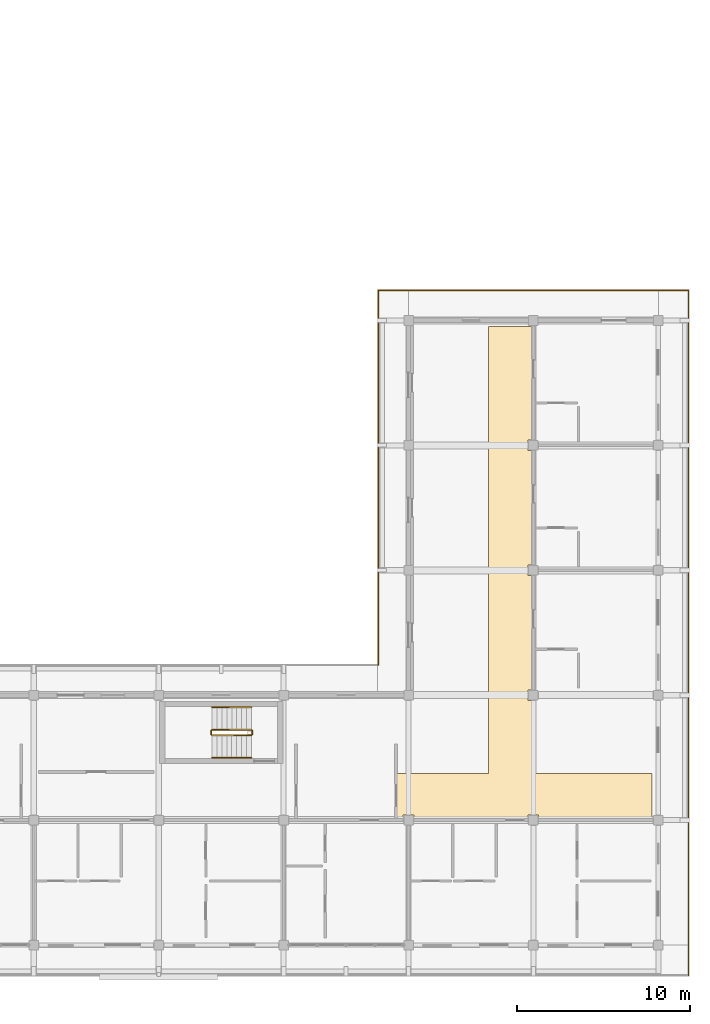
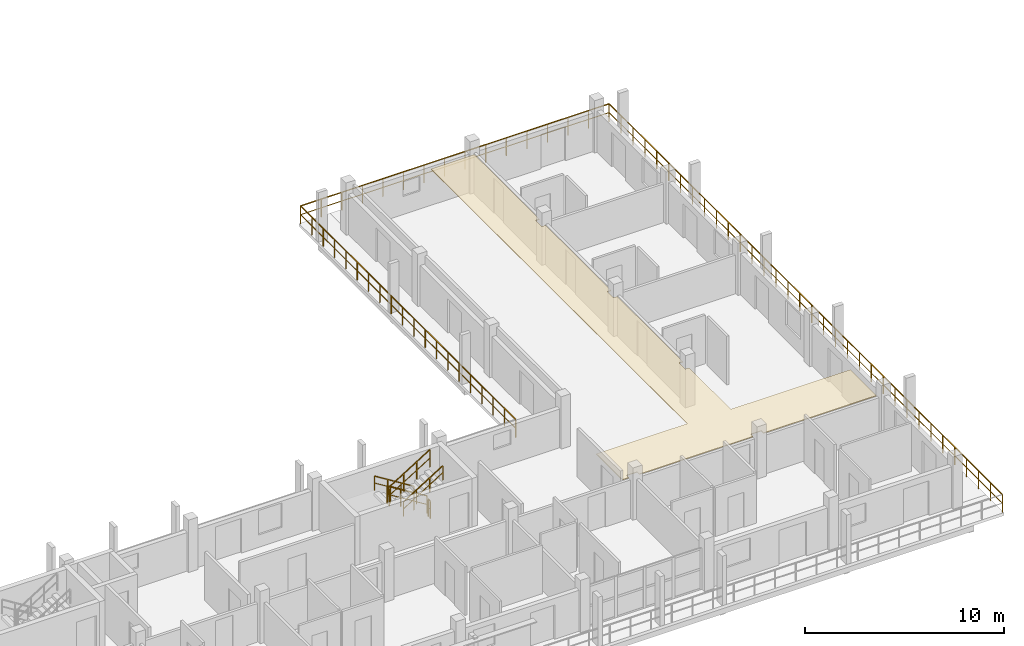
# One storey, part 69 of 73: 9 railings, 1 covering.
"""IFC4 building model written with IfcOpenShell, lengths in metres."""

from ifc_helpers import new_model, si_unit, direction, frame, origin, origin_2d, place, context, subcontext, project, spatial, polyline, rectangle, outline, extrude, material, layer, layer_set, type_object, element, save


model = new_model("IFC4")

# Units and contexts
model_context = context("Model", 3, precision=1e-05, world=origin(), true_north=direction((0.0, 1.0)))
body_context = subcontext(model_context, "Body", "Model", "MODEL_VIEW")
ifc_project = project(units=[si_unit("LENGTHUNIT", "METRE"), si_unit("AREAUNIT", "SQUARE_METRE"), si_unit("VOLUMEUNIT", "CUBIC_METRE"), si_unit("PLANEANGLEUNIT", "RADIAN"), si_unit("MASSUNIT", "GRAM", prefix="KILO")], contexts=[model_context])

# Site, building, storey
site_placement = place(None, origin())
site = spatial("IfcSite", under=ifc_project, at=site_placement, CompositionType="ELEMENT")
building_placement = place(site_placement, origin())
building = spatial("IfcBuilding", under=site, at=building_placement, Name="Suanplinth Sawtooth Commons", CompositionType="ELEMENT")
storey_placement = place(building_placement, frame((0.0, 0.0, 21.89990234375)))
storey = spatial("IfcBuildingStorey", under=building, at=storey_placement, Name="L06", CompositionType="ELEMENT", Elevation=21.89990234375)

# Covering
ifc_material_1 = material(Name="Mineral fibre acoustic tile")
ifc_layer = layer(ifc_material_1, 0.0400390625, Name="Perforated mineral-fibre acoustic suspended ceiling")
ifc_layer_set = layer_set([ifc_layer], Name="Mineral fibre acoustic tile")
covering_type = type_object("IfcCoveringType", Name="CV-CE01", PredefinedType="CEILING", material=ifc_layer_set)
covering_placement = place(storey_placement, frame((0.0, 0.0, 2.380126953125)))
element("IfcCovering", 1, at=covering_placement, inside=storey, type_object=covering_type, Name="L06 Block C Corridor Acoustic Ceiling", PredefinedType="CEILING", context=body_context, shape_type="SweptSolid", body=[
    extrude(outline(polyline([(172.1201171875, 9.89990234375), (177.39990234375, 9.89990234375), (177.39990234375, 35.639892578125), (179.919921875, 35.639892578125), (179.919921875, 29.10498046875), (179.695068359375, 29.10498046875), (179.695068359375, 28.4951171875), (179.919921875, 28.4951171875), (179.919921875, 21.905029296875), (179.695068359375, 21.905029296875), (179.695068359375, 21.294921875), (179.919921875, 21.294921875), (179.919921875, 14.705078125), (179.695068359375, 14.705078125), (179.695068359375, 14.094970703125), (179.919921875, 14.094970703125), (179.919921875, 9.89990234375), (186.840087890625, 9.89990234375), (186.840087890625, 7.280029296875), (180.304931640625, 7.280029296875), (180.304931640625, 7.5048828125), (179.695068359375, 7.5048828125), (179.695068359375, 7.280029296875), (173.10498046875, 7.280029296875), (173.10498046875, 7.5048828125), (172.4951171875, 7.5048828125), (172.4951171875, 7.280029296875), (172.1201171875, 7.280029296875), (172.1201171875, 9.89990234375)])), origin(), (0.0, 0.0, 1.0), 0.0400390625),
])

# Railings
ifc_material_2 = material(Name="Powder-coated galvanized steel", Category="steel")
railing_type_1 = type_object("IfcRailingType", Name="GR-01", PredefinedType="BALUSTRADE", material=ifc_material_2)
railing_1_placement = place(storey_placement, frame((171.06005859375, 16.139892578125, 0.0)))
element("IfcRailing", 2, at=railing_1_placement, inside=storey, type_object=railing_type_1, Name="L06 Block C Perimeter Balustrade 3", PredefinedType="BALUSTRADE", context=body_context, shape_type="SweptSolid", body=[
    extrude(rectangle(XDim=0.048095703125, YDim=0.048095703125, at=origin_2d()), frame((0.0, 0.0, 1.09619140625), z_axis=(0.0, 1.0, 0.0), x_axis=(-1.0, 0.0, 0.0)), (0.0, 0.0, 1.0), 21.60009765625),
    extrude(rectangle(XDim=0.03369140625, YDim=0.03369140625, at=origin_2d()), frame((0.0, 0.0, 0.56005859375), z_axis=(0.0, 1.0, 0.0), x_axis=(-1.0, 0.0, 0.0)), (0.0, 0.0, 1.0), 21.60009765625),
    extrude(rectangle(XDim=0.0419921875, YDim=0.0419921875, at=origin_2d()), origin(), (0.0, 0.0, 1.0), 1.072021484375),
    extrude(rectangle(XDim=0.0419921875, YDim=0.0419921875, at=origin_2d()), frame((0.0, 1.136962890625, 0.0)), (0.0, 0.0, 1.0), 1.072021484375),
    extrude(rectangle(XDim=0.0419921875, YDim=0.0419921875, at=origin_2d()), frame((0.0, 2.273681640625, 0.0)), (0.0, 0.0, 1.0), 1.072021484375),
    extrude(rectangle(XDim=0.0419921875, YDim=0.0419921875, at=origin_2d()), frame((0.0, 3.41064453125, 0.0)), (0.0, 0.0, 1.0), 1.072021484375),
    extrude(rectangle(XDim=0.0419921875, YDim=0.0419921875, at=origin_2d()), frame((0.0, 4.54736328125, 0.0)), (0.0, 0.0, 1.0), 1.072021484375),
    extrude(rectangle(XDim=0.0419921875, YDim=0.0419921875, at=origin_2d()), frame((0.0, 5.684326171875, 0.0)), (0.0, 0.0, 1.0), 1.072021484375),
    extrude(rectangle(XDim=0.0419921875, YDim=0.0419921875, at=origin_2d()), frame((0.0, 6.821044921875, 0.0)), (0.0, 0.0, 1.0), 1.072021484375),
    extrude(rectangle(XDim=0.0419921875, YDim=0.0419921875, at=origin_2d()), frame((0.0, 7.9580078125, 0.0)), (0.0, 0.0, 1.0), 1.072021484375),
    extrude(rectangle(XDim=0.0419921875, YDim=0.0419921875, at=origin_2d()), frame((0.0, 9.0947265625, 0.0)), (0.0, 0.0, 1.0), 1.072021484375),
    extrude(rectangle(XDim=0.0419921875, YDim=0.0419921875, at=origin_2d()), frame((0.0, 10.231689453125, 0.0)), (0.0, 0.0, 1.0), 1.072021484375),
    extrude(rectangle(XDim=0.0419921875, YDim=0.0419921875, at=origin_2d()), frame((0.0, 11.368408203125, 0.0)), (0.0, 0.0, 1.0), 1.072021484375),
    extrude(rectangle(XDim=0.0419921875, YDim=0.0419921875, at=origin_2d()), frame((0.0, 12.50537109375, 0.0)), (0.0, 0.0, 1.0), 1.072021484375),
    extrude(rectangle(XDim=0.0419921875, YDim=0.0419921875, at=origin_2d()), frame((0.0, 13.64208984375, 0.0)), (0.0, 0.0, 1.0), 1.072021484375),
    extrude(rectangle(XDim=0.0419921875, YDim=0.0419921875, at=origin_2d()), frame((0.0, 14.779052734375, 0.0)), (0.0, 0.0, 1.0), 1.072021484375),
    extrude(rectangle(XDim=0.0419921875, YDim=0.0419921875, at=origin_2d()), frame((0.0, 15.915771484375, 0.0)), (0.0, 0.0, 1.0), 1.072021484375),
    extrude(rectangle(XDim=0.0419921875, YDim=0.0419921875, at=origin_2d()), frame((0.0, 17.052734375, 0.0)), (0.0, 0.0, 1.0), 1.072021484375),
    extrude(rectangle(XDim=0.0419921875, YDim=0.0419921875, at=origin_2d()), frame((0.0, 18.189453125, 0.0)), (0.0, 0.0, 1.0), 1.072021484375),
    extrude(rectangle(XDim=0.0419921875, YDim=0.0419921875, at=origin_2d()), frame((0.0, 19.326416015625, 0.0)), (0.0, 0.0, 1.0), 1.072021484375),
    extrude(rectangle(XDim=0.0419921875, YDim=0.0419921875, at=origin_2d()), frame((0.0, 20.463134765625, 0.0)), (0.0, 0.0, 1.0), 1.072021484375),
    extrude(rectangle(XDim=0.0419921875, YDim=0.0419921875, at=origin_2d()), frame((0.0, 21.60009765625, 0.0)), (0.0, 0.0, 1.0), 1.072021484375),
])
railing_2_placement = place(storey_placement, frame((171.06005859375, 37.739990234375, 0.0)))
element("IfcRailing", 3, at=railing_2_placement, inside=storey, type_object=railing_type_1, Name="L06 Block C Perimeter Balustrade 4", PredefinedType="BALUSTRADE", context=body_context, shape_type="SweptSolid", body=[
    extrude(rectangle(XDim=0.048095703125, YDim=0.048095703125, at=origin_2d()), frame((0.0, 0.0, 1.09619140625), z_axis=(1.0, 0.0, 0.0), x_axis=(0.0, 1.0, 0.0)), (0.0, 0.0, 1.0), 17.8798828125),
    extrude(rectangle(XDim=0.03369140625, YDim=0.03369140625, at=origin_2d()), frame((0.0, 0.0, 0.56005859375), z_axis=(1.0, 0.0, 0.0), x_axis=(0.0, 1.0, 0.0)), (0.0, 0.0, 1.0), 17.8798828125),
    extrude(rectangle(XDim=0.0419921875, YDim=0.0419921875, at=origin_2d()), origin(), (0.0, 0.0, 1.0), 1.072021484375),
    extrude(rectangle(XDim=0.0419921875, YDim=0.0419921875, at=origin_2d()), frame((1.19189453125, 0.0, 0.0)), (0.0, 0.0, 1.0), 1.072021484375),
    extrude(rectangle(XDim=0.0419921875, YDim=0.0419921875, at=origin_2d()), frame((2.384033203125, 0.0, 0.0)), (0.0, 0.0, 1.0), 1.072021484375),
    extrude(rectangle(XDim=0.0419921875, YDim=0.0419921875, at=origin_2d()), frame((3.575927734375, 0.0, 0.0)), (0.0, 0.0, 1.0), 1.072021484375),
    extrude(rectangle(XDim=0.0419921875, YDim=0.0419921875, at=origin_2d()), frame((4.76806640625, 0.0, 0.0)), (0.0, 0.0, 1.0), 1.072021484375),
    extrude(rectangle(XDim=0.0419921875, YDim=0.0419921875, at=origin_2d()), frame((5.9599609375, 0.0, 0.0)), (0.0, 0.0, 1.0), 1.072021484375),
    extrude(rectangle(XDim=0.0419921875, YDim=0.0419921875, at=origin_2d()), frame((7.15185546875, 0.0, 0.0)), (0.0, 0.0, 1.0), 1.072021484375),
    extrude(rectangle(XDim=0.0419921875, YDim=0.0419921875, at=origin_2d()), frame((8.343994140625, 0.0, 0.0)), (0.0, 0.0, 1.0), 1.072021484375),
    extrude(rectangle(XDim=0.0419921875, YDim=0.0419921875, at=origin_2d()), frame((9.535888671875, 0.0, 0.0)), (0.0, 0.0, 1.0), 1.072021484375),
    extrude(rectangle(XDim=0.0419921875, YDim=0.0419921875, at=origin_2d()), frame((10.72802734375, 0.0, 0.0)), (0.0, 0.0, 1.0), 1.072021484375),
    extrude(rectangle(XDim=0.0419921875, YDim=0.0419921875, at=origin_2d()), frame((11.919921875, 0.0, 0.0)), (0.0, 0.0, 1.0), 1.072021484375),
    extrude(rectangle(XDim=0.0419921875, YDim=0.0419921875, at=origin_2d()), frame((13.11181640625, 0.0, 0.0)), (0.0, 0.0, 1.0), 1.072021484375),
    extrude(rectangle(XDim=0.0419921875, YDim=0.0419921875, at=origin_2d()), frame((14.303955078125, 0.0, 0.0)), (0.0, 0.0, 1.0), 1.072021484375),
    extrude(rectangle(XDim=0.0419921875, YDim=0.0419921875, at=origin_2d()), frame((15.495849609375, 0.0, 0.0)), (0.0, 0.0, 1.0), 1.072021484375),
    extrude(rectangle(XDim=0.0419921875, YDim=0.0419921875, at=origin_2d()), frame((16.68798828125, 0.0, 0.0)), (0.0, 0.0, 1.0), 1.072021484375),
    extrude(rectangle(XDim=0.0419921875, YDim=0.0419921875, at=origin_2d()), frame((17.8798828125, 0.0, 0.0)), (0.0, 0.0, 1.0), 1.072021484375),
])
railing_3_placement = place(storey_placement, frame((188.93994140625, 37.739990234375, 0.0)))
element("IfcRailing", 4, at=railing_3_placement, inside=storey, type_object=railing_type_1, Name="L06 Block C Perimeter Balustrade 5", PredefinedType="BALUSTRADE", context=body_context, shape_type="SweptSolid", body=[
    extrude(rectangle(XDim=0.048095703125, YDim=0.048095703125, at=origin_2d()), frame((0.0, 0.0, 1.09619140625), z_axis=(0.0, -1.0, 0.0), x_axis=(1.0, 0.0, 0.0)), (0.0, 0.0, 1.0), 39.47998046875),
    extrude(rectangle(XDim=0.03369140625, YDim=0.03369140625, at=origin_2d()), frame((0.0, 0.0, 0.56005859375), z_axis=(0.0, -1.0, 0.0), x_axis=(1.0, 0.0, 0.0)), (0.0, 0.0, 1.0), 39.47998046875),
    extrude(rectangle(XDim=0.0419921875, YDim=0.0419921875, at=origin_2d()), origin(), (0.0, 0.0, 1.0), 1.072021484375),
    extrude(rectangle(XDim=0.0419921875, YDim=0.0419921875, at=origin_2d()), frame((0.0, -1.1962890625, 0.0)), (0.0, 0.0, 1.0), 1.072021484375),
    extrude(rectangle(XDim=0.0419921875, YDim=0.0419921875, at=origin_2d()), frame((0.0, -2.392822265625, 0.0)), (0.0, 0.0, 1.0), 1.072021484375),
    extrude(rectangle(XDim=0.0419921875, YDim=0.0419921875, at=origin_2d()), frame((0.0, -3.589111328125, 0.0)), (0.0, 0.0, 1.0), 1.072021484375),
    extrude(rectangle(XDim=0.0419921875, YDim=0.0419921875, at=origin_2d()), frame((0.0, -4.785400390625, 0.0)), (0.0, 0.0, 1.0), 1.072021484375),
    extrude(rectangle(XDim=0.0419921875, YDim=0.0419921875, at=origin_2d()), frame((0.0, -5.98193359375, 0.0)), (0.0, 0.0, 1.0), 1.072021484375),
    extrude(rectangle(XDim=0.0419921875, YDim=0.0419921875, at=origin_2d()), frame((0.0, -7.17822265625, 0.0)), (0.0, 0.0, 1.0), 1.072021484375),
    extrude(rectangle(XDim=0.0419921875, YDim=0.0419921875, at=origin_2d()), frame((0.0, -8.37451171875, 0.0)), (0.0, 0.0, 1.0), 1.072021484375),
    extrude(rectangle(XDim=0.0419921875, YDim=0.0419921875, at=origin_2d()), frame((0.0, -9.57080078125, 0.0)), (0.0, 0.0, 1.0), 1.072021484375),
    extrude(rectangle(XDim=0.0419921875, YDim=0.0419921875, at=origin_2d()), frame((0.0, -10.767333984375, 0.0)), (0.0, 0.0, 1.0), 1.072021484375),
    extrude(rectangle(XDim=0.0419921875, YDim=0.0419921875, at=origin_2d()), frame((0.0, -11.963623046875, 0.0)), (0.0, 0.0, 1.0), 1.072021484375),
    extrude(rectangle(XDim=0.0419921875, YDim=0.0419921875, at=origin_2d()), frame((0.0, -13.159912109375, 0.0)), (0.0, 0.0, 1.0), 1.072021484375),
    extrude(rectangle(XDim=0.0419921875, YDim=0.0419921875, at=origin_2d()), frame((0.0, -14.3564453125, 0.0)), (0.0, 0.0, 1.0), 1.072021484375),
    extrude(rectangle(XDim=0.0419921875, YDim=0.0419921875, at=origin_2d()), frame((0.0, -15.552734375, 0.0)), (0.0, 0.0, 1.0), 1.072021484375),
    extrude(rectangle(XDim=0.0419921875, YDim=0.0419921875, at=origin_2d()), frame((0.0, -16.7490234375, 0.0)), (0.0, 0.0, 1.0), 1.072021484375),
    extrude(rectangle(XDim=0.0419921875, YDim=0.0419921875, at=origin_2d()), frame((0.0, -17.945556640625, 0.0)), (0.0, 0.0, 1.0), 1.072021484375),
    extrude(rectangle(XDim=0.0419921875, YDim=0.0419921875, at=origin_2d()), frame((0.0, -19.141845703125, 0.0)), (0.0, 0.0, 1.0), 1.072021484375),
    extrude(rectangle(XDim=0.0419921875, YDim=0.0419921875, at=origin_2d()), frame((0.0, -20.338134765625, 0.0)), (0.0, 0.0, 1.0), 1.072021484375),
    extrude(rectangle(XDim=0.0419921875, YDim=0.0419921875, at=origin_2d()), frame((0.0, -21.534423828125, 0.0)), (0.0, 0.0, 1.0), 1.072021484375),
    extrude(rectangle(XDim=0.0419921875, YDim=0.0419921875, at=origin_2d()), frame((0.0, -22.73095703125, 0.0)), (0.0, 0.0, 1.0), 1.072021484375),
    extrude(rectangle(XDim=0.0419921875, YDim=0.0419921875, at=origin_2d()), frame((0.0, -23.92724609375, 0.0)), (0.0, 0.0, 1.0), 1.072021484375),
    extrude(rectangle(XDim=0.0419921875, YDim=0.0419921875, at=origin_2d()), frame((0.0, -25.12353515625, 0.0)), (0.0, 0.0, 1.0), 1.072021484375),
    extrude(rectangle(XDim=0.0419921875, YDim=0.0419921875, at=origin_2d()), frame((0.0, -26.320068359375, 0.0)), (0.0, 0.0, 1.0), 1.072021484375),
    extrude(rectangle(XDim=0.0419921875, YDim=0.0419921875, at=origin_2d()), frame((0.0, -27.516357421875, 0.0)), (0.0, 0.0, 1.0), 1.072021484375),
    extrude(rectangle(XDim=0.0419921875, YDim=0.0419921875, at=origin_2d()), frame((0.0, -28.712646484375, 0.0)), (0.0, 0.0, 1.0), 1.072021484375),
    extrude(rectangle(XDim=0.0419921875, YDim=0.0419921875, at=origin_2d()), frame((0.0, -29.9091796875, 0.0)), (0.0, 0.0, 1.0), 1.072021484375),
    extrude(rectangle(XDim=0.0419921875, YDim=0.0419921875, at=origin_2d()), frame((0.0, -31.10546875, 0.0)), (0.0, 0.0, 1.0), 1.072021484375),
    extrude(rectangle(XDim=0.0419921875, YDim=0.0419921875, at=origin_2d()), frame((0.0, -32.3017578125, 0.0)), (0.0, 0.0, 1.0), 1.072021484375),
    extrude(rectangle(XDim=0.0419921875, YDim=0.0419921875, at=origin_2d()), frame((0.0, -33.498046875, 0.0)), (0.0, 0.0, 1.0), 1.072021484375),
    extrude(rectangle(XDim=0.0419921875, YDim=0.0419921875, at=origin_2d()), frame((0.0, -34.694580078125, 0.0)), (0.0, 0.0, 1.0), 1.072021484375),
    extrude(rectangle(XDim=0.0419921875, YDim=0.0419921875, at=origin_2d()), frame((0.0, -35.890869140625, 0.0)), (0.0, 0.0, 1.0), 1.072021484375),
    extrude(rectangle(XDim=0.0419921875, YDim=0.0419921875, at=origin_2d()), frame((0.0, -37.087158203125, 0.0)), (0.0, 0.0, 1.0), 1.072021484375),
    extrude(rectangle(XDim=0.0419921875, YDim=0.0419921875, at=origin_2d()), frame((0.0, -38.28369140625, 0.0)), (0.0, 0.0, 1.0), 1.072021484375),
    extrude(rectangle(XDim=0.0419921875, YDim=0.0419921875, at=origin_2d()), frame((0.0, -39.47998046875, 0.0)), (0.0, 0.0, 1.0), 1.072021484375),
])
ifc_material_3 = material(Name="Stainless steel Grade 304", Category="steel")
railing_type_2 = type_object("IfcRailingType", Name="GR-04", PredefinedType="GUARDRAIL", material=ifc_material_3)
railing_4_placement = place(storey_placement, frame((163.75, 12.39990234375, 0.177978515625)))
element("IfcRailing", 5, at=railing_4_placement, inside=storey, type_object=railing_type_2, Name="L06 ST-S2 Guard 1", PredefinedType="GUARDRAIL", context=body_context, shape_type="SweptSolid", body=[
    extrude(rectangle(XDim=0.048095703125, YDim=0.048095703125, at=origin_2d()), frame((0.0, 0.0, 1.076171875), z_axis=(-0.848482842525, 0.0, 0.529222888715), x_axis=(0.0, -1.0, 0.0)), (0.0, 0.0, 1.0), 2.687255859375),
    extrude(rectangle(XDim=0.03369140625, YDim=0.03369140625, at=origin_2d()), frame((0.0, 0.0, 0.550048828125), z_axis=(-0.848482842525, 0.0, 0.529222888715), x_axis=(0.0, -1.0, 0.0)), (0.0, 0.0, 1.0), 2.687255859375),
    extrude(rectangle(XDim=0.0419921875, YDim=0.0419921875, at=origin_2d()), origin(), (0.0, 0.0, 1.0), 1.052001953125),
    extrude(rectangle(XDim=0.0419921875, YDim=0.0419921875, at=origin_2d()), frame((-0.760009765625, 0.0, 0.47412109375)), (0.0, 0.0, 1.0), 1.052001953125),
    extrude(rectangle(XDim=0.0419921875, YDim=0.0419921875, at=origin_2d()), frame((-1.52001953125, 0.0, 0.947998046875)), (0.0, 0.0, 1.0), 1.052001953125),
    extrude(rectangle(XDim=0.0419921875, YDim=0.0419921875, at=origin_2d()), frame((-2.280029296875, 0.0, 1.422119140625)), (0.0, 0.0, 1.0), 1.052001953125),
])
railing_5_placement = place(storey_placement, frame((161.419921875, 12.35009765625, 1.60009765625)))
element("IfcRailing", 6, at=railing_5_placement, inside=storey, type_object=railing_type_2, Name="L06 ST-S2 Guard 2", PredefinedType="GUARDRAIL", context=body_context, shape_type="SweptSolid", body=[
    extrude(rectangle(XDim=0.048095703125, YDim=0.048095703125, at=origin_2d()), frame((0.0, 0.0, 1.076171875), z_axis=(0.0, -1.0, 0.0), x_axis=(1.0, 0.0, 0.0)), (0.0, 0.0, 1.0), 0.2001953125),
    extrude(rectangle(XDim=0.03369140625, YDim=0.03369140625, at=origin_2d()), frame((0.0, 0.0, 0.550048828125), z_axis=(0.0, -1.0, 0.0), x_axis=(1.0, 0.0, 0.0)), (0.0, 0.0, 1.0), 0.2001953125),
    extrude(rectangle(XDim=0.0419921875, YDim=0.0419921875, at=origin_2d()), origin(), (0.0, 0.0, 1.0), 1.052001953125),
    extrude(rectangle(XDim=0.0419921875, YDim=0.0419921875, at=origin_2d()), frame((0.0, -0.2001953125, 0.0)), (0.0, 0.0, 1.0), 1.052001953125),
])
railing_6_placement = place(storey_placement, frame((161.469970703125, 12.10009765625, 1.77783203125)))
element("IfcRailing", 7, at=railing_6_placement, inside=storey, type_object=railing_type_2, Name="L06 ST-S2 Guard 3", PredefinedType="GUARDRAIL", context=body_context, shape_type="SweptSolid", body=[
    extrude(rectangle(XDim=0.048095703125, YDim=0.048095703125, at=origin_2d()), frame((0.0, 0.0, 1.076171875), z_axis=(0.848442045328, 0.0, 0.529288291689), x_axis=(0.0, 1.0, 0.0)), (0.0, 0.0, 1.0), 2.687255859375),
    extrude(rectangle(XDim=0.03369140625, YDim=0.03369140625, at=origin_2d()), frame((0.0, 0.0, 0.550048828125), z_axis=(0.848442045328, 0.0, 0.529288291689), x_axis=(0.0, 1.0, 0.0)), (0.0, 0.0, 1.0), 2.687255859375),
    extrude(rectangle(XDim=0.0419921875, YDim=0.0419921875, at=origin_2d()), origin(), (0.0, 0.0, 1.0), 1.052001953125),
    extrude(rectangle(XDim=0.0419921875, YDim=0.0419921875, at=origin_2d()), frame((0.760009765625, 0.0, 0.47412109375)), (0.0, 0.0, 1.0), 1.052001953125),
    extrude(rectangle(XDim=0.0419921875, YDim=0.0419921875, at=origin_2d()), frame((1.52001953125, 0.0, 0.9482421875)), (0.0, 0.0, 1.0), 1.052001953125),
    extrude(rectangle(XDim=0.0419921875, YDim=0.0419921875, at=origin_2d()), frame((2.280029296875, 0.0, 1.42236328125)), (0.0, 0.0, 1.0), 1.052001953125),
])
railing_7_placement = place(storey_placement, frame((163.800048828125, 12.35009765625, 0.0)))
element("IfcRailing", 8, at=railing_7_placement, inside=storey, type_object=railing_type_2, Name="L06 ST-S2 Guard 4", PredefinedType="GUARDRAIL", context=body_context, shape_type="SweptSolid", body=[
    extrude(rectangle(XDim=0.048095703125, YDim=0.048095703125, at=origin_2d()), frame((0.0, 0.0, 1.076171875), z_axis=(0.0, -1.0, 0.0), x_axis=(1.0, 0.0, 0.0)), (0.0, 0.0, 1.0), 0.2001953125),
    extrude(rectangle(XDim=0.03369140625, YDim=0.03369140625, at=origin_2d()), frame((0.0, 0.0, 0.550048828125), z_axis=(0.0, -1.0, 0.0), x_axis=(1.0, 0.0, 0.0)), (0.0, 0.0, 1.0), 0.2001953125),
    extrude(rectangle(XDim=0.0419921875, YDim=0.0419921875, at=origin_2d()), origin(), (0.0, 0.0, 1.0), 1.052001953125),
    extrude(rectangle(XDim=0.0419921875, YDim=0.0419921875, at=origin_2d()), frame((0.0, -0.2001953125, 0.0)), (0.0, 0.0, 1.0), 1.052001953125),
])
railing_type_3 = type_object("IfcRailingType", Name="HR-01", PredefinedType="HANDRAIL", material=ifc_material_3)
railing_8_placement = place(storey_placement, frame((163.75, 13.699951171875, 0.177978515625)))
element("IfcRailing", 9, at=railing_8_placement, inside=storey, type_object=railing_type_3, Name="L06 ST-S2 Handrail 1", PredefinedType="HANDRAIL", context=body_context, shape_type="SweptSolid", body=[
    extrude(rectangle(XDim=0.048095703125, YDim=0.048095703125, at=origin_2d()), frame((0.0, 0.0, 0.8759765625), z_axis=(-0.848482842525, 0.0, 0.529222888715), x_axis=(0.0, -1.0, 0.0)), (0.0, 0.0, 1.0), 2.687255859375),
    extrude(rectangle(XDim=0.03369140625, YDim=0.03369140625, at=origin_2d()), frame((0.0, 0.0, 0.449951171875), z_axis=(-0.848482842525, 0.0, 0.529222888715), x_axis=(0.0, -1.0, 0.0)), (0.0, 0.0, 1.0), 2.687255859375),
    extrude(rectangle(XDim=0.0419921875, YDim=0.0419921875, at=origin_2d()), origin(), (0.0, 0.0, 1.0), 0.851806640625),
    extrude(rectangle(XDim=0.0419921875, YDim=0.0419921875, at=origin_2d()), frame((-0.760009765625, 0.0, 0.47412109375)), (0.0, 0.0, 1.0), 0.851806640625),
    extrude(rectangle(XDim=0.0419921875, YDim=0.0419921875, at=origin_2d()), frame((-1.52001953125, 0.0, 0.947998046875)), (0.0, 0.0, 1.0), 0.851806640625),
    extrude(rectangle(XDim=0.0419921875, YDim=0.0419921875, at=origin_2d()), frame((-2.280029296875, 0.0, 1.422119140625)), (0.0, 0.0, 1.0), 0.851806640625),
])
railing_9_placement = place(storey_placement, frame((161.469970703125, 10.800048828125, 1.77783203125)))
element("IfcRailing", 10, at=railing_9_placement, inside=storey, type_object=railing_type_3, Name="L06 ST-S2 Handrail 2", PredefinedType="HANDRAIL", context=body_context, shape_type="SweptSolid", body=[
    extrude(rectangle(XDim=0.048095703125, YDim=0.048095703125, at=origin_2d()), frame((0.0, 0.0, 0.8759765625), z_axis=(0.848442045328, 0.0, 0.529288291689), x_axis=(0.0, 1.0, 0.0)), (0.0, 0.0, 1.0), 2.687255859375),
    extrude(rectangle(XDim=0.03369140625, YDim=0.03369140625, at=origin_2d()), frame((0.0, 0.0, 0.449951171875), z_axis=(0.848442045328, 0.0, 0.529288291689), x_axis=(0.0, 1.0, 0.0)), (0.0, 0.0, 1.0), 2.687255859375),
    extrude(rectangle(XDim=0.0419921875, YDim=0.0419921875, at=origin_2d()), origin(), (0.0, 0.0, 1.0), 0.851806640625),
    extrude(rectangle(XDim=0.0419921875, YDim=0.0419921875, at=origin_2d()), frame((0.760009765625, 0.0, 0.47412109375)), (0.0, 0.0, 1.0), 0.851806640625),
    extrude(rectangle(XDim=0.0419921875, YDim=0.0419921875, at=origin_2d()), frame((1.52001953125, 0.0, 0.9482421875)), (0.0, 0.0, 1.0), 0.851806640625),
    extrude(rectangle(XDim=0.0419921875, YDim=0.0419921875, at=origin_2d()), frame((2.280029296875, 0.0, 1.42236328125)), (0.0, 0.0, 1.0), 0.851806640625),
])

save(model, "model.ifc")
